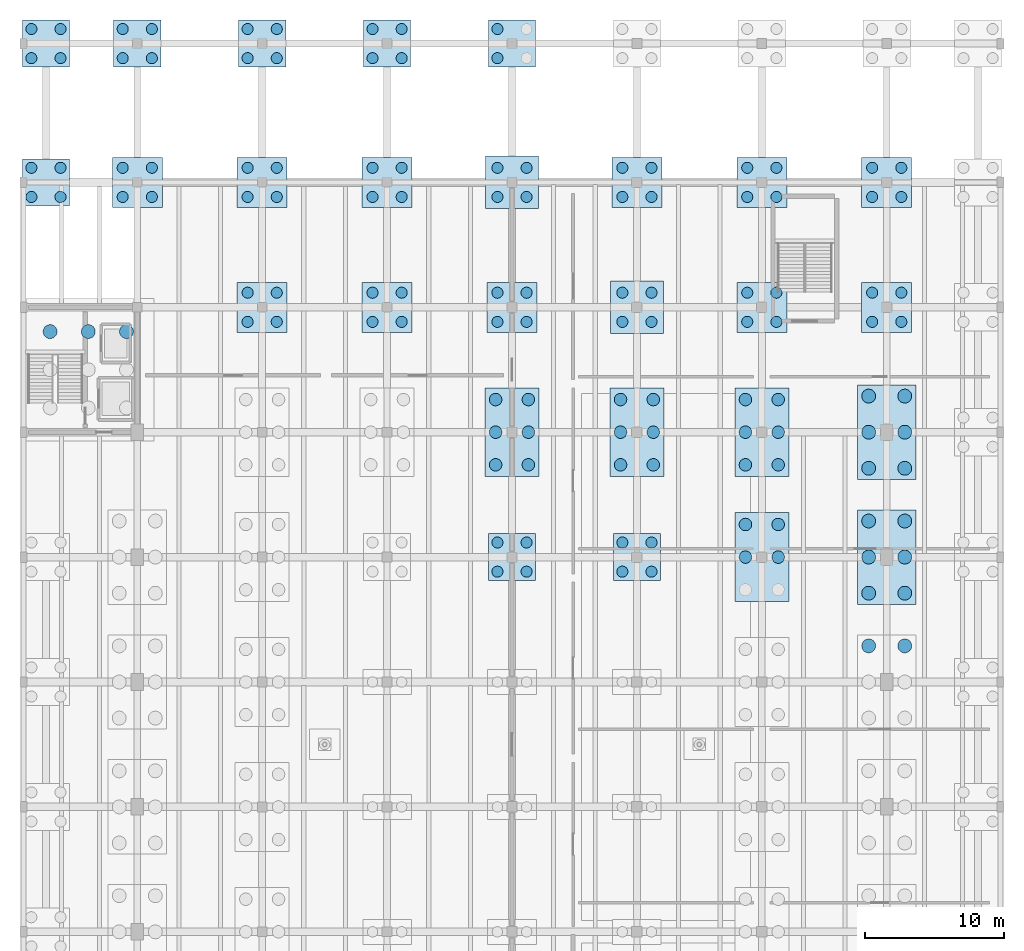
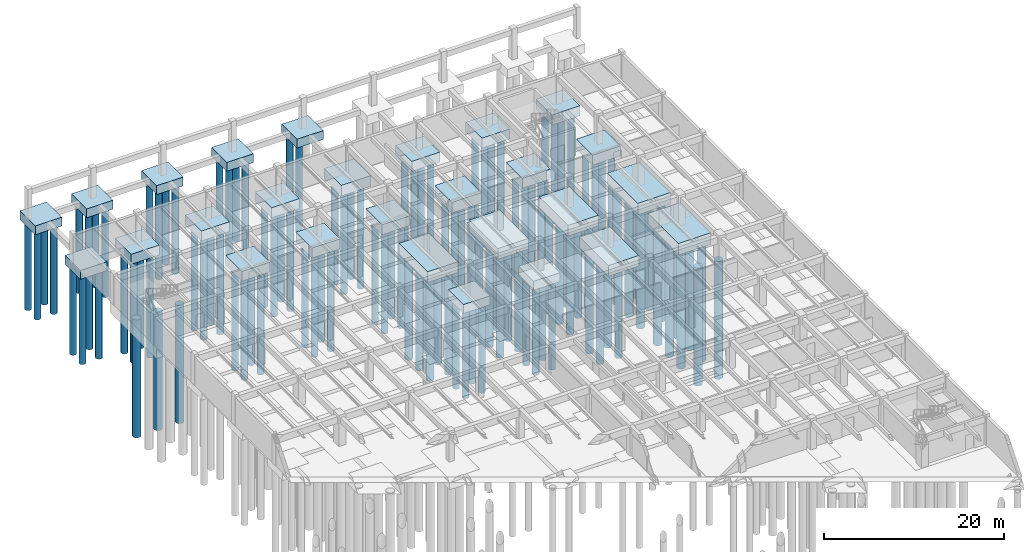
# One storey, part 4 of 23: 121 piles, 27 footings.
"""IFC4 building model written with IfcOpenShell, lengths in metres."""

import ifcopenshell
import ifcopenshell.guid

model = None  # the IFC model being written
_history = None  # IfcOwnerHistory: only IFC2X3 demands one
_inside = {}  # id of a spatial element -> (the spatial element, [elements in it])
_under = {}  # id of a project, library or spatial element -> (it, [spatial elements below it])
_declared = {}  # id of a project -> (the project, [libraries it declares])
_typed = {}  # id of a type object -> (the type object, [elements of that type])
_made_of = {}  # id of a material, layer set ... -> (it, [elements and type objects made of it])


def new_model(schema):
    """Start an empty IFC model of exactly this schema.

    Asked for "IFC4X3", IfcOpenShell would pick the latest addendum, in which some entities
    have other attributes; the version numbers below select the first issue.
    IFC2X3 requires an IfcOwnerHistory on every rooted entity: one is made here for all.
    """
    global model, _history
    if schema == "IFC4X3":
        model = ifcopenshell.file(schema_version=(4, 3, 0, 0))
    else:
        model = ifcopenshell.file(schema=schema)
    _inside.clear()
    _under.clear()
    _declared.clear()
    _typed.clear()
    _made_of.clear()
    _history = None
    if model.schema == "IFC2X3":
        org = make("IfcOrganization", Name="unknown")
        user = make(
            "IfcPersonAndOrganization",
            ThePerson=make("IfcPerson", FamilyName="unknown"),
            TheOrganization=org,
        )
        app = make(
            "IfcApplication",
            ApplicationDeveloper=org,
            Version="unknown",
            ApplicationFullName="unknown",
            ApplicationIdentifier="unknown",
        )
        _history = make(
            "IfcOwnerHistory",
            OwningUser=user,
            OwningApplication=app,
            ChangeAction="ADDED",
            CreationDate=0,
        )
    return model


def make(cls, **values):
    """One entity of the class cls with the attributes given. An attribute that is None is left unset."""
    return model.create_entity(
        cls, **{name: value for name, value in values.items() if value is not None}
    )


def rooted(cls, **values):
    """An entity with a GlobalId (a new one), such as an element, a storey or a relation."""
    return make(cls, GlobalId=ifcopenshell.guid.new(), OwnerHistory=_history, **values)


def si_unit(unit_type, name, prefix=None):
    """IfcSIUnit, for example si_unit("LENGTHUNIT", "METRE", prefix="MILLI")."""
    return make("IfcSIUnit", UnitType=unit_type, Prefix=prefix, Name=name)


def assignment(units):
    """IfcUnitAssignment: the units of a project."""
    return None if units is None else make("IfcUnitAssignment", Units=units)


def point(xyz):
    """IfcCartesianPoint."""
    return None if xyz is None else make("IfcCartesianPoint", Coordinates=xyz)


def direction(xyz):
    """IfcDirection."""
    return None if xyz is None else make("IfcDirection", DirectionRatios=xyz)


def frame(location, z_axis=None, x_axis=None):
    """IfcAxis2Placement3D, a coordinate frame: its origin and axes. An axis left out is left unset."""
    return make(
        "IfcAxis2Placement3D",
        Location=point(location),
        Axis=direction(z_axis),
        RefDirection=direction(x_axis),
    )


def frame_2d(location, x_axis=None):
    """IfcAxis2Placement2D, a coordinate frame in the plane: its origin and x axis."""
    return make(
        "IfcAxis2Placement2D", Location=point(location), RefDirection=direction(x_axis)
    )


def origin():
    """The frame at (0, 0, 0) with its axes left unset."""
    return frame((0.0, 0.0, 0.0))


def origin_2d():
    """The frame at (0, 0) in the plane with its x axis left unset."""
    return frame_2d((0.0, 0.0))


def place(relative_to, where):
    """IfcLocalPlacement: puts the frame where relative to a parent placement (None: the world)."""
    return make(
        "IfcLocalPlacement", PlacementRelTo=relative_to, RelativePlacement=where
    )


def context(
    kind, dimensions, precision=None, world=None, true_north=None, identifier=None
):
    """IfcGeometricRepresentationContext, for example the 3D "Model" context."""
    return make(
        "IfcGeometricRepresentationContext",
        ContextIdentifier=identifier,
        ContextType=kind,
        CoordinateSpaceDimension=dimensions,
        Precision=precision,
        WorldCoordinateSystem=world,
        TrueNorth=true_north,
    )


def subcontext(parent, identifier, kind, view, scale=None):
    """IfcGeometricRepresentationSubContext, for example "Body" below "Model"."""
    return make(
        "IfcGeometricRepresentationSubContext",
        ContextIdentifier=identifier,
        ContextType=kind,
        ParentContext=parent,
        TargetScale=scale,
        TargetView=view,
    )


def project(units=None, contexts=None):
    """IfcProject with its units and contexts."""
    return rooted(
        "IfcProject",
        Name="project",
        RepresentationContexts=contexts,
        UnitsInContext=assignment(units),
    )


def spatial(cls, under=None, at=None, **own):
    """A site, building, storey or space (cls), placed at a placement, below another one or the project."""
    s = rooted(cls, ObjectPlacement=at, **own)
    if under is not None:
        _under.setdefault(under.id(), (under, []))[1].append(s)
    return s


def polyline(points):
    """IfcPolyline through the points."""
    return make("IfcPolyline", Points=[point(p) for p in points])


def profile(cls, at=None, kind="AREA", **sizes):
    """A parametric profile (cls). Its sizes go by their IFC names, for example OverallWidth=200.0."""
    return make(cls, ProfileType=kind, Position=at, **sizes)


def circle(**sizes):
    """IfcCircleProfileDef."""
    return profile("IfcCircleProfileDef", **sizes)


def outline(outer, holes=None, kind="AREA"):
    """IfcArbitraryClosedProfileDef: a profile drawn as a closed curve; with holes, ...WithVoids."""
    if holes is None:
        return make("IfcArbitraryClosedProfileDef", ProfileType=kind, OuterCurve=outer)
    return make(
        "IfcArbitraryProfileDefWithVoids",
        ProfileType=kind,
        OuterCurve=outer,
        InnerCurves=holes,
    )


def extrude(swept, where, along, depth):
    """IfcExtrudedAreaSolid: the profile swept, set in the frame where, extruded along a direction by depth."""
    return make(
        "IfcExtrudedAreaSolid",
        SweptArea=swept,
        Position=where,
        ExtrudedDirection=direction(along),
        Depth=depth,
    )


def shape(context_of_items, identifier, shape_type, items):
    """IfcShapeRepresentation: the items that make up one representation, for example the "Body"."""
    return make(
        "IfcShapeRepresentation",
        ContextOfItems=context_of_items,
        RepresentationIdentifier=identifier,
        RepresentationType=shape_type,
        Items=items,
    )


def material(Name=None, Category=None):
    """IfcMaterial."""
    return make("IfcMaterial", Name=Name, Category=Category)


def layer(
    of_material, thickness, ventilated=None, Name=None, Category=None, Priority=None
):
    """IfcMaterialLayer: one layer of a wall or slab, of a material (None: an air gap)."""
    return make(
        "IfcMaterialLayer",
        Material=of_material,
        LayerThickness=thickness,
        IsVentilated=ventilated,
        Name=Name,
        Category=Category,
        Priority=Priority,
    )


def layer_set(layers, Name=None):
    """IfcMaterialLayerSet."""
    return make("IfcMaterialLayerSet", MaterialLayers=layers, LayerSetName=Name)


def material_profile(
    of_material, cross_section, Name=None, Category=None, Priority=None
):
    """IfcMaterialProfile: a cross section and its material."""
    return make(
        "IfcMaterialProfile",
        Name=Name,
        Material=of_material,
        Profile=cross_section,
        Priority=Priority,
        Category=Category,
    )


def profile_set(profiles, Name=None, composite=None):
    """IfcMaterialProfileSet."""
    return make(
        "IfcMaterialProfileSet",
        Name=Name,
        MaterialProfiles=profiles,
        CompositeProfile=composite,
    )


def made_of(thing, what):
    """Note that an element or type object is made of a material, layer set ...; save() writes the relation."""
    if what is not None:
        _made_of.setdefault(what.id(), (what, []))[1].append(thing)
    return thing


def type_object(cls, material=None, **own):
    """A type object (cls), such as IfcWallType, which elements share."""
    return made_of(rooted(cls, **own), material)


def element(
    cls,
    number,
    at=None,
    inside=None,
    cuts=None,
    type_object=None,
    material=None,
    context=None,
    identifier="Body",
    shape_type=None,
    held_by="IfcProductDefinitionShape",
    body=None,
    shapes=None,
    **own,
):
    """One element of the class cls, such as IfcWall. Its Tag is "e" and its number.

    at: its placement. inside: the storey or other place that contains it. cuts: it is an
    opening in that element (IfcRelVoidsElement). A single representation is given by context,
    identifier, shape_type and body (its items); several are given by shapes. held_by: the class
    of the entity that holds the representations. save() writes the other relations.
    """
    e = rooted(cls, Tag="e%d" % number, ObjectPlacement=at, **own)
    if body is not None:
        shapes = [shape(context, identifier, shape_type, body)]
    if shapes is not None:
        e.Representation = make(held_by, Representations=shapes)
    if inside is not None:
        _inside.setdefault(inside.id(), (inside, []))[1].append(e)
    if cuts is not None:
        rooted(
            "IfcRelVoidsElement", RelatingBuildingElement=cuts, RelatedOpeningElement=e
        )
    if type_object is not None:
        _typed.setdefault(type_object.id(), (type_object, []))[1].append(e)
    return made_of(e, material)


def aggregate(whole, parts):
    """IfcRelAggregates: a whole, such as a stair, and the parts it consists of."""
    return rooted("IfcRelAggregates", RelatingObject=whole, RelatedObjects=parts)


def save(model, path):
    """Write the relations noted so far, then the file.

    IfcRelAggregates (storeys below a building ...), IfcRelContainedInSpatialStructure (elements
    in a storey), IfcRelDefinesByType, IfcRelAssociatesMaterial and IfcRelDeclares: one each for
    every whole, place, type object, material and project.
    """
    for whole, parts in _under.values():
        aggregate(whole, parts)
    for where, things in _inside.values():
        rooted(
            "IfcRelContainedInSpatialStructure",
            RelatedElements=things,
            RelatingStructure=where,
        )
    for kind, things in _typed.values():
        rooted("IfcRelDefinesByType", RelatedObjects=things, RelatingType=kind)
    for what, things in _made_of.values():
        rooted("IfcRelAssociatesMaterial", RelatedObjects=things, RelatingMaterial=what)
    for by, libraries in _declared.values():
        rooted("IfcRelDeclares", RelatingContext=by, RelatedDefinitions=libraries)
    model.write(path)


model = new_model("IFC4")

# Units and contexts
model_context = context("Model", 3, precision=1e-05, world=origin(), true_north=direction((0.0, 1.0)))
body_context = subcontext(model_context, "Body", "Model", "MODEL_VIEW")
ifc_project = project(units=[si_unit("LENGTHUNIT", "METRE"), si_unit("AREAUNIT", "SQUARE_METRE"), si_unit("VOLUMEUNIT", "CUBIC_METRE"), si_unit("PLANEANGLEUNIT", "RADIAN"), si_unit("MASSUNIT", "GRAM", prefix="KILO")], contexts=[model_context])

# Site, building, storey
site_placement = place(None, origin())
site = spatial("IfcSite", under=ifc_project, at=site_placement, CompositionType="ELEMENT")
building_placement = place(site_placement, origin())
building = spatial("IfcBuilding", under=site, at=building_placement, Name="Ornek Quay Market", CompositionType="ELEMENT")
storey_placement = place(building_placement, frame((0.0, 0.0, -4.199951171875)))
storey = spatial("IfcBuildingStorey", under=building, at=storey_placement, Name="B1", CompositionType="ELEMENT", Elevation=-4.199951171875)

# Footings
ifc_material = material(Name="Concrete C35/45", Category="concrete")
ifc_layer_1 = layer(ifc_material, 1.199951171875, Name="Concrete C35/45", Category="concrete")
ifc_layer_set_1 = layer_set([ifc_layer_1], Name="Concrete C35/45")
footing_type_1 = type_object("IfcFootingType", Name="FT-PC4-2800x2800x1200", PredefinedType="PILE_CAP", material=ifc_layer_set_1)
footing_1_placement = place(storey_placement, frame((0.0, 0.0, -1.199951171875)))
element("IfcFooting", 1, at=footing_1_placement, inside=storey, type_object=footing_type_1, Name="Pile cap FC-074", PredefinedType="PILE_CAP", context=body_context, shape_type="SweptSolid", body=[
    extrude(outline(polyline([(54.719970703125, 108.300048828125), (58.1201171875, 108.300048828125), (58.1201171875, 111.699951171875), (54.719970703125, 111.699951171875), (54.719970703125, 108.300048828125)])), origin(), (0.0, 0.0, 1.0), 1.199951171875),
])
footing_2_placement = place(storey_placement, frame((0.0, 0.0, -1.199951171875)))
element("IfcFooting", 2, at=footing_2_placement, inside=storey, type_object=footing_type_1, Name="Pile cap FC-075", PredefinedType="PILE_CAP", context=body_context, shape_type="SweptSolid", body=[
    extrude(outline(polyline([(54.719970703125, 118.300048828125), (58.1201171875, 118.300048828125), (58.1201171875, 121.699951171875), (54.719970703125, 121.699951171875), (54.719970703125, 118.300048828125)])), origin(), (0.0, 0.0, 1.0), 1.199951171875),
])
footing_3_placement = place(storey_placement, frame((0.0, 0.0, -1.199951171875)))
element("IfcFooting", 3, at=footing_3_placement, inside=storey, type_object=footing_type_1, Name="Pile cap FC-086", PredefinedType="PILE_CAP", context=body_context, shape_type="SweptSolid", body=[
    extrude(outline(polyline([(61.300048828125, 118.300048828125), (64.699951171875, 118.300048828125), (64.699951171875, 121.699951171875), (61.300048828125, 121.699951171875), (61.300048828125, 118.300048828125)])), origin(), (0.0, 0.0, 1.0), 1.199951171875),
])
footing_4_placement = place(storey_placement, frame((0.0, 0.0, -1.199951171875)))
element("IfcFooting", 4, at=footing_4_placement, inside=storey, type_object=footing_type_1, Name="Pile cap FC-099", PredefinedType="PILE_CAP", context=body_context, shape_type="SweptSolid", body=[
    extrude(outline(polyline([(70.300048828125, 118.300048828125), (73.699951171875, 118.300048828125), (73.699951171875, 121.699951171875), (70.300048828125, 121.699951171875), (70.300048828125, 118.300048828125)])), origin(), (0.0, 0.0, 1.0), 1.199951171875),
])
footing_5_placement = place(storey_placement, frame((0.0, 0.0, -1.199951171875)))
element("IfcFooting", 5, at=footing_5_placement, inside=storey, type_object=footing_type_1, Name="Pile cap FC-112", PredefinedType="PILE_CAP", context=body_context, shape_type="SweptSolid", body=[
    extrude(outline(polyline([(79.300048828125, 118.300048828125), (82.699951171875, 118.300048828125), (82.699951171875, 121.699951171875), (79.300048828125, 121.699951171875), (79.300048828125, 118.300048828125)])), origin(), (0.0, 0.0, 1.0), 1.199951171875),
])
footing_6_placement = place(storey_placement, frame((0.0, 0.0, -1.199951171875)))
element("IfcFooting", 6, at=footing_6_placement, inside=storey, type_object=footing_type_1, Name="Pile cap FC-121", PredefinedType="PILE_CAP", context=body_context, shape_type="SweptSolid", body=[
    extrude(outline(polyline([(88.300048828125, 81.300048828125), (91.699951171875, 81.300048828125), (91.699951171875, 84.699951171875), (88.300048828125, 84.699951171875), (88.300048828125, 81.300048828125)])), origin(), (0.0, 0.0, 1.0), 1.199951171875),
])
footing_7_placement = place(storey_placement, frame((0.0, 0.0, -1.199951171875)))
element("IfcFooting", 7, at=footing_7_placement, inside=storey, type_object=footing_type_1, Name="Pile cap FC-125", PredefinedType="PILE_CAP", context=body_context, shape_type="SweptSolid", body=[
    extrude(outline(polyline([(88.300048828125, 118.300048828125), (91.699951171875, 118.300048828125), (91.699951171875, 121.699951171875), (88.300048828125, 121.699951171875), (88.300048828125, 118.300048828125)])), origin(), (0.0, 0.0, 1.0), 1.199951171875),
])
footing_8_placement = place(storey_placement, frame((0.0, 0.0, -1.199951171875)))
element("IfcFooting", 8, at=footing_8_placement, inside=storey, type_object=footing_type_1, Name="Pile cap FC-134", PredefinedType="PILE_CAP", context=body_context, shape_type="SweptSolid", body=[
    extrude(outline(polyline([(97.300048828125, 81.300048828125), (100.699951171875, 81.300048828125), (100.699951171875, 84.699951171875), (97.300048828125, 84.699951171875), (97.300048828125, 81.300048828125)])), origin(), (0.0, 0.0, 1.0), 1.199951171875),
])
ifc_layer_2 = layer(ifc_material, 1.35009765625, Name="Concrete C35/45", Category="concrete")
ifc_layer_set_2 = layer_set([ifc_layer_2], Name="Concrete C35/45")
footing_type_2 = type_object("IfcFootingType", Name="FT-PC4-3200x3200x1350", PredefinedType="PILE_CAP", material=ifc_layer_set_2)
footing_9_placement = place(storey_placement, frame((0.0, 0.0, -1.35009765625)))
element("IfcFooting", 9, at=footing_9_placement, inside=storey, type_object=footing_type_2, Name="Pile cap FC-085", PredefinedType="PILE_CAP", context=body_context, shape_type="SweptSolid", body=[
    extrude(outline(polyline([(61.199951171875, 108.199951171875), (64.800048828125, 108.199951171875), (64.800048828125, 111.800048828125), (61.199951171875, 111.800048828125), (61.199951171875, 108.199951171875)])), origin(), (0.0, 0.0, 1.0), 1.35009765625),
])
footing_10_placement = place(storey_placement, frame((0.0, 0.0, -1.35009765625)))
element("IfcFooting", 10, at=footing_10_placement, inside=storey, type_object=footing_type_2, Name="Pile cap FC-097", PredefinedType="PILE_CAP", context=body_context, shape_type="SweptSolid", body=[
    extrude(outline(polyline([(70.199951171875, 99.199951171875), (73.800048828125, 99.199951171875), (73.800048828125, 102.800048828125), (70.199951171875, 102.800048828125), (70.199951171875, 99.199951171875)])), origin(), (0.0, 0.0, 1.0), 1.35009765625),
])
footing_11_placement = place(storey_placement, frame((0.0, 0.0, -1.35009765625)))
element("IfcFooting", 11, at=footing_11_placement, inside=storey, type_object=footing_type_2, Name="Pile cap FC-098", PredefinedType="PILE_CAP", context=body_context, shape_type="SweptSolid", body=[
    extrude(outline(polyline([(70.199951171875, 108.199951171875), (73.800048828125, 108.199951171875), (73.800048828125, 111.800048828125), (70.199951171875, 111.800048828125), (70.199951171875, 108.199951171875)])), origin(), (0.0, 0.0, 1.0), 1.35009765625),
])
footing_12_placement = place(storey_placement, frame((0.0, 0.0, -1.35009765625)))
element("IfcFooting", 12, at=footing_12_placement, inside=storey, type_object=footing_type_2, Name="Pile cap FC-110", PredefinedType="PILE_CAP", context=body_context, shape_type="SweptSolid", body=[
    extrude(outline(polyline([(79.199951171875, 99.199951171875), (82.800048828125, 99.199951171875), (82.800048828125, 102.800048828125), (79.199951171875, 102.800048828125), (79.199951171875, 99.199951171875)])), origin(), (0.0, 0.0, 1.0), 1.35009765625),
])
footing_13_placement = place(storey_placement, frame((0.0, 0.0, -1.35009765625)))
element("IfcFooting", 13, at=footing_13_placement, inside=storey, type_object=footing_type_2, Name="Pile cap FC-111", PredefinedType="PILE_CAP", context=body_context, shape_type="SweptSolid", body=[
    extrude(outline(polyline([(79.199951171875, 108.199951171875), (82.800048828125, 108.199951171875), (82.800048828125, 111.800048828125), (79.199951171875, 111.800048828125), (79.199951171875, 108.199951171875)])), origin(), (0.0, 0.0, 1.0), 1.35009765625),
])
footing_14_placement = place(storey_placement, frame((0.0, 0.0, -1.35009765625)))
element("IfcFooting", 14, at=footing_14_placement, inside=storey, type_object=footing_type_2, Name="Pile cap FC-123", PredefinedType="PILE_CAP", context=body_context, shape_type="SweptSolid", body=[
    extrude(outline(polyline([(88.199951171875, 99.199951171875), (91.800048828125, 99.199951171875), (91.800048828125, 102.800048828125), (88.199951171875, 102.800048828125), (88.199951171875, 99.199951171875)])), origin(), (0.0, 0.0, 1.0), 1.35009765625),
])
footing_15_placement = place(storey_placement, frame((0.0, 0.0, -1.35009765625)))
element("IfcFooting", 15, at=footing_15_placement, inside=storey, type_object=footing_type_2, Name="Pile cap FC-137", PredefinedType="PILE_CAP", context=body_context, shape_type="SweptSolid", body=[
    extrude(outline(polyline([(97.199951171875, 108.199951171875), (100.800048828125, 108.199951171875), (100.800048828125, 111.800048828125), (97.199951171875, 111.800048828125), (97.199951171875, 108.199951171875)])), origin(), (0.0, 0.0, 1.0), 1.35009765625),
])
footing_16_placement = place(storey_placement, frame((0.0, 0.0, -1.35009765625)))
element("IfcFooting", 16, at=footing_16_placement, inside=storey, type_object=footing_type_2, Name="Pile cap FC-149", PredefinedType="PILE_CAP", context=body_context, shape_type="SweptSolid", body=[
    extrude(outline(polyline([(106.199951171875, 99.199951171875), (109.800048828125, 99.199951171875), (109.800048828125, 102.800048828125), (106.199951171875, 102.800048828125), (106.199951171875, 99.199951171875)])), origin(), (0.0, 0.0, 1.0), 1.35009765625),
])
footing_17_placement = place(storey_placement, frame((0.0, 0.0, -1.35009765625)))
element("IfcFooting", 17, at=footing_17_placement, inside=storey, type_object=footing_type_2, Name="Pile cap FC-150", PredefinedType="PILE_CAP", context=body_context, shape_type="SweptSolid", body=[
    extrude(outline(polyline([(106.199951171875, 108.199951171875), (109.800048828125, 108.199951171875), (109.800048828125, 111.800048828125), (106.199951171875, 111.800048828125), (106.199951171875, 108.199951171875)])), origin(), (0.0, 0.0, 1.0), 1.35009765625),
])
footing_18_placement = place(storey_placement, frame((0.0, 0.0, -1.35009765625)))
element("IfcFooting", 18, at=footing_18_placement, inside=storey, type_object=footing_type_2, Name="Pile cap FC-160", PredefinedType="PILE_CAP", context=body_context, shape_type="SweptSolid", body=[
    extrude(outline(polyline([(115.199951171875, 99.199951171875), (118.800048828125, 99.199951171875), (118.800048828125, 102.800048828125), (115.199951171875, 102.800048828125), (115.199951171875, 99.199951171875)])), origin(), (0.0, 0.0, 1.0), 1.35009765625),
])
footing_19_placement = place(storey_placement, frame((0.0, 0.0, -1.35009765625)))
element("IfcFooting", 19, at=footing_19_placement, inside=storey, type_object=footing_type_2, Name="Pile cap FC-161", PredefinedType="PILE_CAP", context=body_context, shape_type="SweptSolid", body=[
    extrude(outline(polyline([(115.199951171875, 108.199951171875), (118.800048828125, 108.199951171875), (118.800048828125, 111.800048828125), (115.199951171875, 111.800048828125), (115.199951171875, 108.199951171875)])), origin(), (0.0, 0.0, 1.0), 1.35009765625),
])
ifc_layer_3 = layer(ifc_material, 1.449951171875, Name="Concrete C35/45", Category="concrete")
ifc_layer_set_3 = layer_set([ifc_layer_3], Name="Concrete C35/45")
footing_type_3 = type_object("IfcFootingType", Name="FT-PC6-3200x4600x1450", PredefinedType="PILE_CAP", material=ifc_layer_set_3)
footing_20_placement = place(storey_placement, frame((0.0, 0.0, -1.449951171875)))
element("IfcFooting", 20, at=footing_20_placement, inside=storey, type_object=footing_type_3, Name="Pile cap FC-122", PredefinedType="PILE_CAP", context=body_context, shape_type="SweptSolid", body=[
    extrude(outline(polyline([(88.050048828125, 88.800048828125), (91.949951171875, 88.800048828125), (91.949951171875, 95.199951171875), (88.050048828125, 95.199951171875), (88.050048828125, 88.800048828125)])), origin(), (0.0, 0.0, 1.0), 1.449951171875),
])
footing_21_placement = place(storey_placement, frame((0.0, 0.0, -1.449951171875)))
element("IfcFooting", 21, at=footing_21_placement, inside=storey, type_object=footing_type_3, Name="Pile cap FC-135", PredefinedType="PILE_CAP", context=body_context, shape_type="SweptSolid", body=[
    extrude(outline(polyline([(97.050048828125, 88.800048828125), (100.949951171875, 88.800048828125), (100.949951171875, 95.199951171875), (97.050048828125, 95.199951171875), (97.050048828125, 88.800048828125)])), origin(), (0.0, 0.0, 1.0), 1.449951171875),
])
footing_22_placement = place(storey_placement, frame((0.0, 0.0, -1.449951171875)))
element("IfcFooting", 22, at=footing_22_placement, inside=storey, type_object=footing_type_3, Name="Pile cap FC-147", PredefinedType="PILE_CAP", context=body_context, shape_type="SweptSolid", body=[
    extrude(outline(polyline([(106.050048828125, 79.800048828125), (109.949951171875, 79.800048828125), (109.949951171875, 86.199951171875), (106.050048828125, 86.199951171875), (106.050048828125, 79.800048828125)])), origin(), (0.0, 0.0, 1.0), 1.449951171875),
])
footing_23_placement = place(storey_placement, frame((0.0, 0.0, -1.449951171875)))
element("IfcFooting", 23, at=footing_23_placement, inside=storey, type_object=footing_type_3, Name="Pile cap FC-148", PredefinedType="PILE_CAP", context=body_context, shape_type="SweptSolid", body=[
    extrude(outline(polyline([(106.050048828125, 88.800048828125), (109.949951171875, 88.800048828125), (109.949951171875, 95.199951171875), (106.050048828125, 95.199951171875), (106.050048828125, 88.800048828125)])), origin(), (0.0, 0.0, 1.0), 1.449951171875),
])
ifc_layer_4 = layer(ifc_material, 1.550048828125, Name="Concrete C35/45", Category="concrete")
ifc_layer_set_4 = layer_set([ifc_layer_4], Name="Concrete C35/45")
footing_type_4 = type_object("IfcFootingType", Name="FT-PC6-3600x5200x1550", PredefinedType="PILE_CAP", material=ifc_layer_set_4)
footing_24_placement = place(storey_placement, frame((0.0, 0.0, -1.550048828125)))
element("IfcFooting", 24, at=footing_24_placement, inside=storey, type_object=footing_type_4, Name="Pile cap FC-158", PredefinedType="PILE_CAP", context=body_context, shape_type="SweptSolid", body=[
    extrude(outline(polyline([(114.89990234375, 79.60009765625), (119.10009765625, 79.60009765625), (119.10009765625, 86.39990234375), (114.89990234375, 86.39990234375), (114.89990234375, 79.60009765625)])), origin(), (0.0, 0.0, 1.0), 1.550048828125),
])
footing_25_placement = place(storey_placement, frame((0.0, 0.0, -1.550048828125)))
element("IfcFooting", 25, at=footing_25_placement, inside=storey, type_object=footing_type_4, Name="Pile cap FC-159", PredefinedType="PILE_CAP", context=body_context, shape_type="SweptSolid", body=[
    extrude(outline(polyline([(114.89990234375, 88.60009765625), (119.10009765625, 88.60009765625), (119.10009765625, 95.39990234375), (114.89990234375, 95.39990234375), (114.89990234375, 88.60009765625)])), origin(), (0.0, 0.0, 1.0), 1.550048828125),
])
ifc_layer_5 = layer(ifc_material, 1.449951171875, Name="Concrete C35/45", Category="concrete")
ifc_layer_set_5 = layer_set([ifc_layer_5], Name="Concrete C35/45")
footing_type_5 = type_object("IfcFootingType", Name="FT-PC6-4600x3200x1450", PredefinedType="PILE_CAP", material=ifc_layer_set_5)
footing_26_placement = place(storey_placement, frame((0.0, 0.0, -1.449951171875)))
element("IfcFooting", 26, at=footing_26_placement, inside=storey, type_object=footing_type_5, Name="Pile cap FC-124", PredefinedType="PILE_CAP", context=body_context, shape_type="SweptSolid", body=[
    extrude(outline(polyline([(88.10009765625, 108.10009765625), (91.89990234375, 108.10009765625), (91.89990234375, 111.89990234375), (88.10009765625, 111.89990234375), (88.10009765625, 108.10009765625)])), origin(), (0.0, 0.0, 1.0), 1.449951171875),
])
footing_27_placement = place(storey_placement, frame((0.0, 0.0, -1.449951171875)))
element("IfcFooting", 27, at=footing_27_placement, inside=storey, type_object=footing_type_5, Name="Pile cap FC-136", PredefinedType="PILE_CAP", context=body_context, shape_type="SweptSolid", body=[
    extrude(outline(polyline([(97.10009765625, 99.10009765625), (100.89990234375, 99.10009765625), (100.89990234375, 102.89990234375), (97.10009765625, 102.89990234375), (97.10009765625, 99.10009765625)])), origin(), (0.0, 0.0, 1.0), 1.449951171875),
])

# Piles
ifc_material_profile_1 = material_profile(ifc_material, circle(Radius=0.5, at=origin_2d()), Name="PILE D1000", Category="concrete")
ifc_profile_set_1 = profile_set([ifc_material_profile_1], Name="Concrete C35/45")
pile_type_1 = type_object("IfcPileType", Name="PL-BOR-D1000-L16", PredefinedType="BORED", material=ifc_profile_set_1)
for number, where, z_axis, x_axis, name in (
    (28, (56.719970703125, 99.25, -1.550048828125), (0.0, 0.0, -1.0), (1.0, 0.0, 0.0), "Bored pile P-0021"),
    (29, (59.469970703125, 99.25, -1.550048828125), (0.0, 0.0, -1.0), (1.0, 0.0, 0.0), "Bored pile P-0024"),
    (30, (62.219970703125, 99.25, -1.550048828125), (0.0, 0.0, -1.0), (1.0, 0.0, 0.0), "Bored pile P-0027"),
    (31, (115.699951171875, 76.60009765625, -1.449951171875), (0.0, 0.0, -1.0), (1.0, 0.0, 0.0), "Bored pile P-0693"),
    (32, (118.300048828125, 76.60009765625, -1.449951171875), (0.0, 0.0, -1.0), (1.0, 0.0, 0.0), "Bored pile P-0694"),
    (33, (115.699951171875, 80.39990234375, -1.449951171875), (0.0, 0.0, -1.0), (1.0, 0.0, 0.0), "Bored pile P-0695"),
    (34, (118.300048828125, 80.39990234375, -1.449951171875), (0.0, 0.0, -1.0), (1.0, 0.0, 0.0), "Bored pile P-0696"),
    (35, (115.699951171875, 83.0, -1.449951171875), (0.0, 0.0, -1.0), (1.0, 0.0, 0.0), "Bored pile P-0697"),
    (36, (118.300048828125, 83.0, -1.449951171875), (0.0, 0.0, -1.0), (1.0, 0.0, 0.0), "Bored pile P-0698"),
    (37, (115.699951171875, 85.60009765625, -1.449951171875), (0.0, 0.0, -1.0), (1.0, 0.0, 0.0), "Bored pile P-0699"),
    (38, (118.300048828125, 85.60009765625, -1.449951171875), (0.0, 0.0, -1.0), (1.0, 0.0, 0.0), "Bored pile P-0700"),
    (39, (115.699951171875, 89.39990234375, -1.449951171875), (0.0, 0.0, -1.0), (1.0, 0.0, 0.0), "Bored pile P-0701"),
    (40, (118.300048828125, 89.39990234375, -1.449951171875), (0.0, 0.0, -1.0), (1.0, 0.0, 0.0), "Bored pile P-0702"),
    (41, (115.699951171875, 92.0, -1.449951171875), (0.0, 0.0, -1.0), (1.0, 0.0, 0.0), "Bored pile P-0703"),
    (42, (118.300048828125, 92.0, -1.449951171875), (0.0, 0.0, -1.0), (1.0, 0.0, 0.0), "Bored pile P-0704"),
    (43, (115.699951171875, 94.60009765625, -1.449951171875), (0.0, 0.0, -1.0), (1.0, 0.0, 0.0), "Bored pile P-0705"),
    (44, (118.300048828125, 94.60009765625, -1.449951171875), (0.0, 0.0, -1.0), (1.0, 0.0, 0.0), "Bored pile P-0706"),
):
    element("IfcPile", number, at=place(storey_placement, frame(where, z_axis=z_axis, x_axis=x_axis)), inside=storey, type_object=pile_type_1, Name=name, PredefinedType="BORED", context=body_context, shape_type="SweptSolid", body=[
        extrude(circle(Radius=0.5, at=origin_2d()), origin(), (0.0, 0.0, 1.0), 16.0),
    ])
ifc_material_profile_2 = material_profile(ifc_material, circle(Radius=0.39990234375, at=origin_2d()), Name="PILE D800", Category="concrete")
ifc_profile_set_2 = profile_set([ifc_material_profile_2], Name="Concrete C35/45")
pile_type_2 = type_object("IfcPileType", Name="PL-BOR-D800-L12", PredefinedType="BORED", material=ifc_profile_set_2)
for number, where, z_axis, x_axis, name in (
    (45, (55.3701171875, 108.949951171875, -1.10009765625), (0.0, 0.0, -1.0), (1.0, 0.0, 0.0), "Bored pile P-0323"),
    (46, (57.469970703125, 108.949951171875, -1.10009765625), (0.0, 0.0, -1.0), (1.0, 0.0, 0.0), "Bored pile P-0324"),
    (47, (55.3701171875, 111.050048828125, -1.10009765625), (0.0, 0.0, -1.0), (1.0, 0.0, 0.0), "Bored pile P-0325"),
    (48, (57.469970703125, 111.050048828125, -1.10009765625), (0.0, 0.0, -1.0), (1.0, 0.0, 0.0), "Bored pile P-0326"),
    (49, (55.3701171875, 118.949951171875, -1.10009765625), (0.0, 0.0, -1.0), (1.0, 0.0, 0.0), "Bored pile P-0327"),
    (50, (57.469970703125, 118.949951171875, -1.10009765625), (0.0, 0.0, -1.0), (1.0, 0.0, 0.0), "Bored pile P-0328"),
    (51, (55.3701171875, 121.050048828125, -1.10009765625), (0.0, 0.0, -1.0), (1.0, 0.0, 0.0), "Bored pile P-0329"),
    (52, (57.469970703125, 121.050048828125, -1.10009765625), (0.0, 0.0, -1.0), (1.0, 0.0, 0.0), "Bored pile P-0330"),
    (53, (61.949951171875, 118.949951171875, -1.10009765625), (0.0, 0.0, -1.0), (1.0, 0.0, 0.0), "Bored pile P-0385"),
    (54, (64.050048828125, 118.949951171875, -1.10009765625), (0.0, 0.0, -1.0), (1.0, 0.0, 0.0), "Bored pile P-0386"),
    (55, (61.949951171875, 121.050048828125, -1.10009765625), (0.0, 0.0, -1.0), (1.0, 0.0, 0.0), "Bored pile P-0387"),
    (56, (64.050048828125, 121.050048828125, -1.10009765625), (0.0, 0.0, -1.0), (1.0, 0.0, 0.0), "Bored pile P-0388"),
    (57, (70.949951171875, 118.949951171875, -1.10009765625), (0.0, 0.0, -1.0), (1.0, 0.0, 0.0), "Bored pile P-0453"),
    (58, (73.050048828125, 118.949951171875, -1.10009765625), (0.0, 0.0, -1.0), (1.0, 0.0, 0.0), "Bored pile P-0454"),
    (59, (70.949951171875, 121.050048828125, -1.10009765625), (0.0, 0.0, -1.0), (1.0, 0.0, 0.0), "Bored pile P-0455"),
    (60, (73.050048828125, 121.050048828125, -1.10009765625), (0.0, 0.0, -1.0), (1.0, 0.0, 0.0), "Bored pile P-0456"),
    (61, (79.949951171875, 118.949951171875, -1.10009765625), (0.0, 0.0, -1.0), (1.0, 0.0, 0.0), "Bored pile P-0499"),
    (62, (82.050048828125, 118.949951171875, -1.10009765625), (0.0, 0.0, -1.0), (1.0, 0.0, 0.0), "Bored pile P-0500"),
    (63, (79.949951171875, 121.050048828125, -1.10009765625), (0.0, 0.0, -1.0), (1.0, 0.0, 0.0), "Bored pile P-0501"),
    (64, (82.050048828125, 121.050048828125, -1.10009765625), (0.0, 0.0, -1.0), (1.0, 0.0, 0.0), "Bored pile P-0502"),
    (65, (88.949951171875, 81.949951171875, -1.10009765625), (0.0, 0.0, -1.0), (1.0, 0.0, 0.0), "Bored pile P-0527"),
    (66, (91.050048828125, 81.949951171875, -1.10009765625), (0.0, 0.0, -1.0), (1.0, 0.0, 0.0), "Bored pile P-0528"),
    (67, (88.949951171875, 84.050048828125, -1.10009765625), (0.0, 0.0, -1.0), (1.0, 0.0, 0.0), "Bored pile P-0529"),
    (68, (91.050048828125, 84.050048828125, -1.10009765625), (0.0, 0.0, -1.0), (1.0, 0.0, 0.0), "Bored pile P-0530"),
    (69, (88.949951171875, 118.949951171875, -1.10009765625), (0.0, 0.0, -1.0), (1.0, 0.0, 0.0), "Bored pile P-0545"),
    (70, (88.949951171875, 121.050048828125, -1.10009765625), (0.0, 0.0, -1.0), (1.0, 0.0, 0.0), "Bored pile P-0547"),
    (71, (97.949951171875, 81.949951171875, -1.10009765625), (0.0, 0.0, -1.0), (1.0, 0.0, 0.0), "Bored pile P-0573"),
    (72, (100.050048828125, 81.949951171875, -1.10009765625), (0.0, 0.0, -1.0), (1.0, 0.0, 0.0), "Bored pile P-0574"),
    (73, (97.949951171875, 84.050048828125, -1.10009765625), (0.0, 0.0, -1.0), (1.0, 0.0, 0.0), "Bored pile P-0575"),
    (74, (100.050048828125, 84.050048828125, -1.10009765625), (0.0, 0.0, -1.0), (1.0, 0.0, 0.0), "Bored pile P-0576"),
):
    element("IfcPile", number, at=place(storey_placement, frame(where, z_axis=z_axis, x_axis=x_axis)), inside=storey, type_object=pile_type_2, Name=name, PredefinedType="BORED", context=body_context, shape_type="SweptSolid", body=[
        extrude(circle(Radius=0.39990234375, at=origin_2d()), origin(), (0.0, 0.0, 1.0), 12.0),
    ])
ifc_material_profile_3 = material_profile(ifc_material, circle(Radius=0.39990234375, at=origin_2d()), Name="PILE D800", Category="concrete")
ifc_profile_set_3 = profile_set([ifc_material_profile_3], Name="Concrete C35/45")
pile_type_3 = type_object("IfcPileType", Name="PL-BOR-D800-L14", PredefinedType="BORED", material=ifc_profile_set_3)
for number, where, z_axis, x_axis, name in (
    (75, (61.949951171875, 108.949951171875, -1.25), (0.0, 0.0, -1.0), (1.0, 0.0, 0.0), "Bored pile P-0381"),
    (76, (64.050048828125, 108.949951171875, -1.25), (0.0, 0.0, -1.0), (1.0, 0.0, 0.0), "Bored pile P-0382"),
    (77, (61.949951171875, 111.050048828125, -1.25), (0.0, 0.0, -1.0), (1.0, 0.0, 0.0), "Bored pile P-0383"),
    (78, (64.050048828125, 111.050048828125, -1.25), (0.0, 0.0, -1.0), (1.0, 0.0, 0.0), "Bored pile P-0384"),
    (79, (70.949951171875, 99.949951171875, -1.25), (0.0, 0.0, -1.0), (1.0, 0.0, 0.0), "Bored pile P-0445"),
    (80, (73.050048828125, 99.949951171875, -1.25), (0.0, 0.0, -1.0), (1.0, 0.0, 0.0), "Bored pile P-0446"),
    (81, (70.949951171875, 102.050048828125, -1.25), (0.0, 0.0, -1.0), (1.0, 0.0, 0.0), "Bored pile P-0447"),
    (82, (73.050048828125, 102.050048828125, -1.25), (0.0, 0.0, -1.0), (1.0, 0.0, 0.0), "Bored pile P-0448"),
    (83, (70.949951171875, 108.949951171875, -1.25), (0.0, 0.0, -1.0), (1.0, 0.0, 0.0), "Bored pile P-0449"),
    (84, (73.050048828125, 108.949951171875, -1.25), (0.0, 0.0, -1.0), (1.0, 0.0, 0.0), "Bored pile P-0450"),
    (85, (70.949951171875, 111.050048828125, -1.25), (0.0, 0.0, -1.0), (1.0, 0.0, 0.0), "Bored pile P-0451"),
    (86, (73.050048828125, 111.050048828125, -1.25), (0.0, 0.0, -1.0), (1.0, 0.0, 0.0), "Bored pile P-0452"),
    (87, (79.949951171875, 99.949951171875, -1.25), (0.0, 0.0, -1.0), (1.0, 0.0, 0.0), "Bored pile P-0491"),
    (88, (82.050048828125, 99.949951171875, -1.25), (0.0, 0.0, -1.0), (1.0, 0.0, 0.0), "Bored pile P-0492"),
    (89, (79.949951171875, 102.050048828125, -1.25), (0.0, 0.0, -1.0), (1.0, 0.0, 0.0), "Bored pile P-0493"),
    (90, (82.050048828125, 102.050048828125, -1.25), (0.0, 0.0, -1.0), (1.0, 0.0, 0.0), "Bored pile P-0494"),
    (91, (79.949951171875, 108.949951171875, -1.25), (0.0, 0.0, -1.0), (1.0, 0.0, 0.0), "Bored pile P-0495"),
    (92, (82.050048828125, 108.949951171875, -1.25), (0.0, 0.0, -1.0), (1.0, 0.0, 0.0), "Bored pile P-0496"),
    (93, (79.949951171875, 111.050048828125, -1.25), (0.0, 0.0, -1.0), (1.0, 0.0, 0.0), "Bored pile P-0497"),
    (94, (82.050048828125, 111.050048828125, -1.25), (0.0, 0.0, -1.0), (1.0, 0.0, 0.0), "Bored pile P-0498"),
    (95, (88.949951171875, 99.949951171875, -1.25), (0.0, 0.0, -1.0), (1.0, 0.0, 0.0), "Bored pile P-0537"),
    (96, (91.050048828125, 99.949951171875, -1.25), (0.0, 0.0, -1.0), (1.0, 0.0, 0.0), "Bored pile P-0538"),
    (97, (88.949951171875, 102.050048828125, -1.25), (0.0, 0.0, -1.0), (1.0, 0.0, 0.0), "Bored pile P-0539"),
    (98, (91.050048828125, 102.050048828125, -1.25), (0.0, 0.0, -1.0), (1.0, 0.0, 0.0), "Bored pile P-0540"),
    (99, (88.949951171875, 108.949951171875, -1.35009765625), (0.0, 0.0, -1.0), (1.0, 0.0, 0.0), "Bored pile P-0541"),
    (100, (91.050048828125, 108.949951171875, -1.35009765625), (0.0, 0.0, -1.0), (1.0, 0.0, 0.0), "Bored pile P-0542"),
    (101, (88.949951171875, 111.050048828125, -1.35009765625), (0.0, 0.0, -1.0), (1.0, 0.0, 0.0), "Bored pile P-0543"),
    (102, (91.050048828125, 111.050048828125, -1.35009765625), (0.0, 0.0, -1.0), (1.0, 0.0, 0.0), "Bored pile P-0544"),
    (103, (97.949951171875, 99.949951171875, -1.35009765625), (0.0, 0.0, -1.0), (1.0, 0.0, 0.0), "Bored pile P-0583"),
    (104, (100.050048828125, 99.949951171875, -1.35009765625), (0.0, 0.0, -1.0), (1.0, 0.0, 0.0), "Bored pile P-0584"),
    (105, (97.949951171875, 102.050048828125, -1.35009765625), (0.0, 0.0, -1.0), (1.0, 0.0, 0.0), "Bored pile P-0585"),
    (106, (100.050048828125, 102.050048828125, -1.35009765625), (0.0, 0.0, -1.0), (1.0, 0.0, 0.0), "Bored pile P-0586"),
    (107, (97.949951171875, 108.949951171875, -1.25), (0.0, 0.0, -1.0), (1.0, 0.0, 0.0), "Bored pile P-0587"),
    (108, (100.050048828125, 108.949951171875, -1.25), (0.0, 0.0, -1.0), (1.0, 0.0, 0.0), "Bored pile P-0588"),
    (109, (97.949951171875, 111.050048828125, -1.25), (0.0, 0.0, -1.0), (1.0, 0.0, 0.0), "Bored pile P-0589"),
    (110, (100.050048828125, 111.050048828125, -1.25), (0.0, 0.0, -1.0), (1.0, 0.0, 0.0), "Bored pile P-0590"),
    (111, (106.949951171875, 99.949951171875, -1.25), (0.0, 0.0, -1.0), (1.0, 0.0, 0.0), "Bored pile P-0651"),
    (112, (109.050048828125, 99.949951171875, -1.25), (0.0, 0.0, -1.0), (1.0, 0.0, 0.0), "Bored pile P-0652"),
    (113, (106.949951171875, 102.050048828125, -1.25), (0.0, 0.0, -1.0), (1.0, 0.0, 0.0), "Bored pile P-0653"),
    (114, (109.050048828125, 102.050048828125, -1.25), (0.0, 0.0, -1.0), (1.0, 0.0, 0.0), "Bored pile P-0654"),
    (115, (106.949951171875, 108.949951171875, -1.25), (0.0, 0.0, -1.0), (1.0, 0.0, 0.0), "Bored pile P-0655"),
    (116, (109.050048828125, 108.949951171875, -1.25), (0.0, 0.0, -1.0), (1.0, 0.0, 0.0), "Bored pile P-0656"),
    (117, (106.949951171875, 111.050048828125, -1.25), (0.0, 0.0, -1.0), (1.0, 0.0, 0.0), "Bored pile P-0657"),
    (118, (109.050048828125, 111.050048828125, -1.25), (0.0, 0.0, -1.0), (1.0, 0.0, 0.0), "Bored pile P-0658"),
    (119, (115.949951171875, 99.949951171875, -1.25), (0.0, 0.0, -1.0), (1.0, 0.0, 0.0), "Bored pile P-0707"),
    (120, (118.050048828125, 99.949951171875, -1.25), (0.0, 0.0, -1.0), (1.0, 0.0, 0.0), "Bored pile P-0708"),
    (121, (115.949951171875, 102.050048828125, -1.25), (0.0, 0.0, -1.0), (1.0, 0.0, 0.0), "Bored pile P-0709"),
    (122, (118.050048828125, 102.050048828125, -1.25), (0.0, 0.0, -1.0), (1.0, 0.0, 0.0), "Bored pile P-0710"),
    (123, (115.949951171875, 108.949951171875, -1.25), (0.0, 0.0, -1.0), (1.0, 0.0, 0.0), "Bored pile P-0711"),
    (124, (118.050048828125, 108.949951171875, -1.25), (0.0, 0.0, -1.0), (1.0, 0.0, 0.0), "Bored pile P-0712"),
    (125, (115.949951171875, 111.050048828125, -1.25), (0.0, 0.0, -1.0), (1.0, 0.0, 0.0), "Bored pile P-0713"),
    (126, (118.050048828125, 111.050048828125, -1.25), (0.0, 0.0, -1.0), (1.0, 0.0, 0.0), "Bored pile P-0714"),
):
    element("IfcPile", number, at=place(storey_placement, frame(where, z_axis=z_axis, x_axis=x_axis)), inside=storey, type_object=pile_type_3, Name=name, PredefinedType="BORED", context=body_context, shape_type="SweptSolid", body=[
        extrude(circle(Radius=0.39990234375, at=origin_2d()), origin(), (0.0, 0.0, 1.0), 14.0),
    ])
ifc_material_profile_4 = material_profile(ifc_material, circle(Radius=0.449951171875, at=origin_2d()), Name="PILE D900", Category="concrete")
ifc_profile_set_4 = profile_set([ifc_material_profile_4], Name="Concrete C35/45")
pile_type_4 = type_object("IfcPileType", Name="PL-BOR-D900-L14", PredefinedType="BORED", material=ifc_profile_set_4)
for number, where, z_axis, x_axis, name in (
    (127, (88.820068359375, 89.64990234375, -1.35009765625), (0.0, 0.0, -1.0), (1.0, 0.0, 0.0), "Bored pile P-0531"),
    (128, (91.179931640625, 89.64990234375, -1.35009765625), (0.0, 0.0, -1.0), (1.0, 0.0, 0.0), "Bored pile P-0532"),
    (129, (88.820068359375, 92.0, -1.35009765625), (0.0, 0.0, -1.0), (1.0, 0.0, 0.0), "Bored pile P-0533"),
    (130, (91.179931640625, 92.0, -1.35009765625), (0.0, 0.0, -1.0), (1.0, 0.0, 0.0), "Bored pile P-0534"),
    (131, (88.820068359375, 94.35009765625, -1.35009765625), (0.0, 0.0, -1.0), (1.0, 0.0, 0.0), "Bored pile P-0535"),
    (132, (91.179931640625, 94.35009765625, -1.35009765625), (0.0, 0.0, -1.0), (1.0, 0.0, 0.0), "Bored pile P-0536"),
    (133, (97.820068359375, 89.64990234375, -1.35009765625), (0.0, 0.0, -1.0), (1.0, 0.0, 0.0), "Bored pile P-0577"),
    (134, (100.179931640625, 89.64990234375, -1.35009765625), (0.0, 0.0, -1.0), (1.0, 0.0, 0.0), "Bored pile P-0578"),
    (135, (97.820068359375, 92.0, -1.35009765625), (0.0, 0.0, -1.0), (1.0, 0.0, 0.0), "Bored pile P-0579"),
    (136, (100.179931640625, 92.0, -1.35009765625), (0.0, 0.0, -1.0), (1.0, 0.0, 0.0), "Bored pile P-0580"),
    (137, (97.820068359375, 94.35009765625, -1.35009765625), (0.0, 0.0, -1.0), (1.0, 0.0, 0.0), "Bored pile P-0581"),
    (138, (100.179931640625, 94.35009765625, -1.35009765625), (0.0, 0.0, -1.0), (1.0, 0.0, 0.0), "Bored pile P-0582"),
    (139, (106.820068359375, 83.0, -1.35009765625), (0.0, 0.0, -1.0), (1.0, 0.0, 0.0), "Bored pile P-0641"),
    (140, (109.179931640625, 83.0, -1.35009765625), (0.0, 0.0, -1.0), (1.0, 0.0, 0.0), "Bored pile P-0642"),
    (141, (106.820068359375, 85.35009765625, -1.35009765625), (0.0, 0.0, -1.0), (1.0, 0.0, 0.0), "Bored pile P-0643"),
    (142, (109.179931640625, 85.35009765625, -1.35009765625), (0.0, 0.0, -1.0), (1.0, 0.0, 0.0), "Bored pile P-0644"),
    (143, (106.820068359375, 89.64990234375, -1.35009765625), (0.0, 0.0, -1.0), (1.0, 0.0, 0.0), "Bored pile P-0645"),
    (144, (109.179931640625, 89.64990234375, -1.35009765625), (0.0, 0.0, -1.0), (1.0, 0.0, 0.0), "Bored pile P-0646"),
    (145, (106.820068359375, 92.0, -1.35009765625), (0.0, 0.0, -1.0), (1.0, 0.0, 0.0), "Bored pile P-0647"),
    (146, (109.179931640625, 92.0, -1.35009765625), (0.0, 0.0, -1.0), (1.0, 0.0, 0.0), "Bored pile P-0648"),
    (147, (106.820068359375, 94.35009765625, -1.35009765625), (0.0, 0.0, -1.0), (1.0, 0.0, 0.0), "Bored pile P-0649"),
    (148, (109.179931640625, 94.35009765625, -1.35009765625), (0.0, 0.0, -1.0), (1.0, 0.0, 0.0), "Bored pile P-0650"),
):
    element("IfcPile", number, at=place(storey_placement, frame(where, z_axis=z_axis, x_axis=x_axis)), inside=storey, type_object=pile_type_4, Name=name, PredefinedType="BORED", context=body_context, shape_type="SweptSolid", body=[
        extrude(circle(Radius=0.449951171875, at=origin_2d()), origin(), (0.0, 0.0, 1.0), 14.0),
    ])

save(model, "model.ifc")
